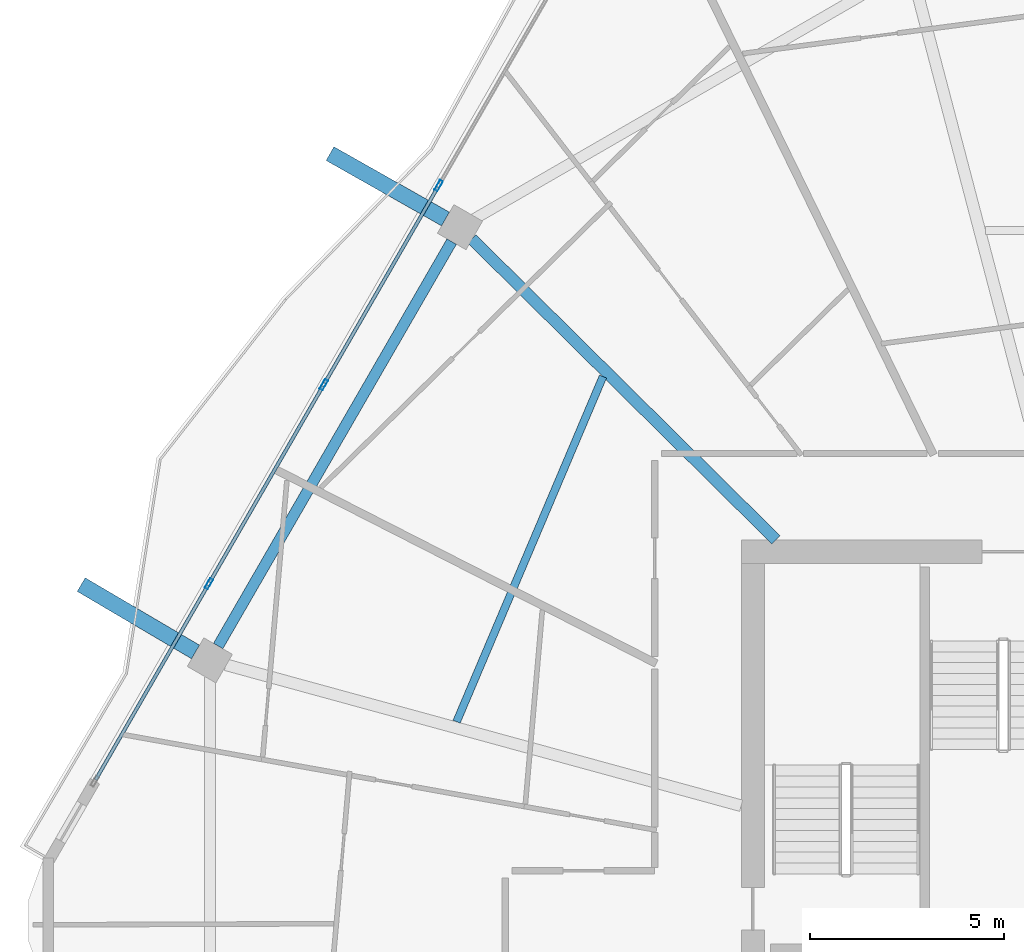
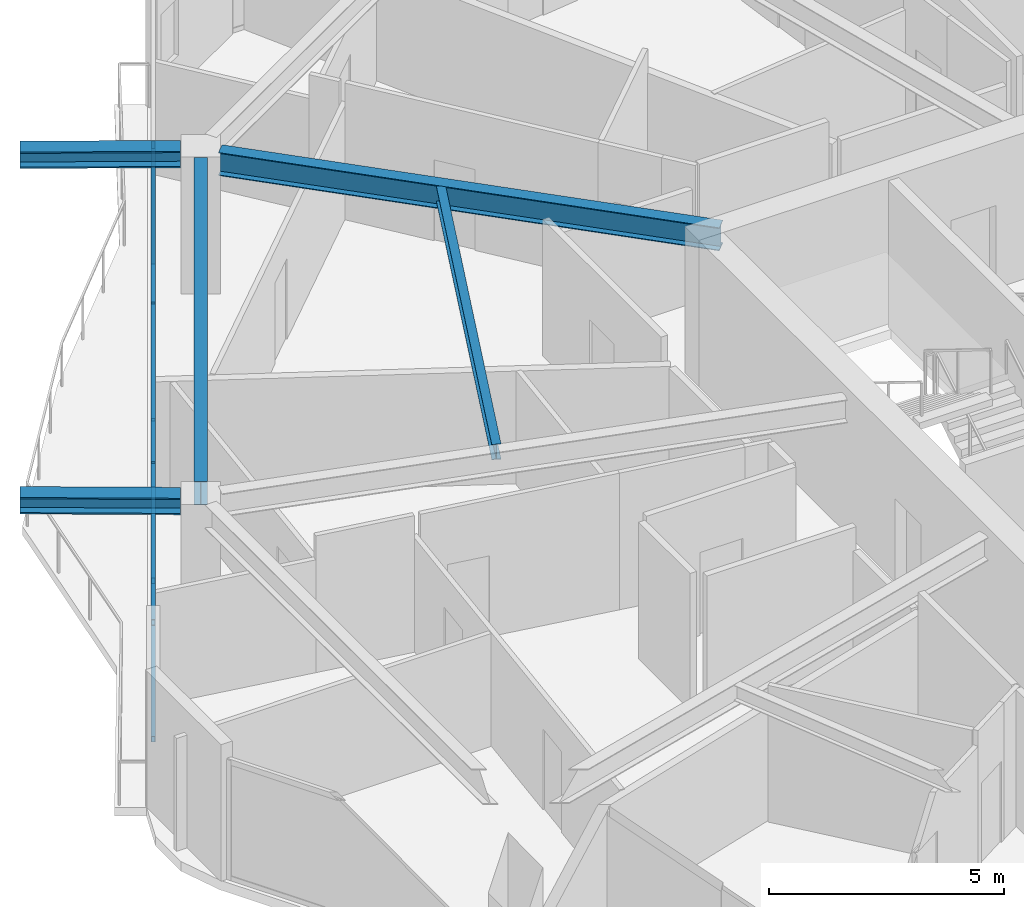
# One storey, part 11 of 26: 9 members, 5 beams, 1 element without a shape of its own.
"""IFC4 building model written with IfcOpenShell, lengths in metres."""

from ifc_helpers import new_model, si_unit, direction, frame, origin, origin_2d, place, context, subcontext, project, spatial, hollow_rectangle, i_section, extrude, material, material_profile, profile_set, type_object, element, aggregate, save


model = new_model("IFC4")

# Units and contexts
model_context = context("Model", 3, precision=1e-05, world=origin(), true_north=direction((0.0, 1.0)))
body_context = subcontext(model_context, "Body", "Model", "MODEL_VIEW")
ifc_project = project(units=[si_unit("LENGTHUNIT", "METRE"), si_unit("AREAUNIT", "SQUARE_METRE"), si_unit("VOLUMEUNIT", "CUBIC_METRE"), si_unit("PLANEANGLEUNIT", "RADIAN"), si_unit("MASSUNIT", "GRAM", prefix="KILO")], contexts=[model_context])

# Site, building, storey
site_placement = place(None, origin())
site = spatial("IfcSite", under=ifc_project, at=site_placement, CompositionType="ELEMENT")
building_placement = place(site_placement, origin())
building = spatial("IfcBuilding", under=site, at=building_placement, Name="Zuhravey Tower", CompositionType="ELEMENT")
storey_placement = place(building_placement, frame((0.0, 0.0, 280.60009765625)))
storey = spatial("IfcBuildingStorey", under=building, at=storey_placement, Name="L71", CompositionType="ELEMENT", Elevation=280.60009765625)

# Curtain wall, members
ifc_material_1 = material(Name="Thermally broken anodised aluminium", Category="aluminium")
curtain_wall_type = type_object("IfcCurtainWallType", Name="Zone 3-4 High-Rise Curtain Wall CW4", PredefinedType="NOTDEFINED", material=ifc_material_1)
curtain_wall_placement = place(storey_placement, origin())
curtain_wall = element("IfcCurtainWall", 1, at=curtain_wall_placement, inside=storey, type_object=curtain_wall_type, Name="L71 CW4 CW-L71-F3-1", PredefinedType="NOTDEFINED")
ifc_material_2 = material(Name="Anodised aluminium", Category="aluminium")
ifc_material_profile_1 = material_profile(ifc_material_2, hollow_rectangle(XDim=0.090087890625, YDim=0.284912109375, WallThickness=0.0048828125, at=origin_2d()), Name="ALU-RHS-90x285x5")
ifc_profile_set_1 = profile_set([ifc_material_profile_1], Name="Anodised aluminium")
member_type_1 = type_object("IfcMemberType", Name="Curtain-Wall Mullion 90x180", PredefinedType="MULLION", material=ifc_profile_set_1)
member_1_placement = place(storey_placement, frame((11.4892578125, 40.673583984375, 0.0), z_axis=(0.0, 0.0, 1.0), x_axis=(-0.866024370591, 0.500001789539, 0.0)))
member_1 = element("IfcMember", 2, at=member_1_placement, type_object=member_type_1, Name="CW4 mullion 2", PredefinedType="MULLION", context=body_context, shape_type="SweptSolid", body=[
    extrude(hollow_rectangle(XDim=0.090087890625, YDim=0.284912109375, WallThickness=0.0048828125, at=origin_2d()), origin(), (0.0, 0.0, 1.0), 3.121826171875),
])
member_2_placement = place(storey_placement, frame((14.44873046875, 45.79931640625, 0.0), z_axis=(0.0, 0.0, 1.0), x_axis=(-0.866024370591, 0.500001789539, 0.0)))
member_2 = element("IfcMember", 3, at=member_2_placement, type_object=member_type_1, Name="CW4 mullion 3", PredefinedType="MULLION", context=body_context, shape_type="SweptSolid", body=[
    extrude(hollow_rectangle(XDim=0.090087890625, YDim=0.284912109375, WallThickness=0.0048828125, at=origin_2d()), origin(), (0.0, 0.0, 1.0), 3.121826171875),
])
member_3_placement = place(storey_placement, frame((17.408203125, 50.92529296875, 0.0), z_axis=(0.0, 0.0, 1.0), x_axis=(-0.866024370591, 0.500001789539, 0.0)))
member_3 = element("IfcMember", 4, at=member_3_placement, type_object=member_type_1, Name="CW4 mullion 4", PredefinedType="MULLION", context=body_context, shape_type="SweptSolid", body=[
    extrude(hollow_rectangle(XDim=0.090087890625, YDim=0.284912109375, WallThickness=0.0048828125, at=origin_2d()), origin(), (0.0, 0.0, 1.0), 3.121826171875),
])
ifc_material_profile_2 = material_profile(ifc_material_2, hollow_rectangle(XDim=0.090087890625, YDim=0.14990234375, WallThickness=0.0048828125, at=origin_2d()), Name="ALU-RHS-90x150x5")
ifc_profile_set_2 = profile_set([ifc_material_profile_2], Name="Anodised aluminium")
member_type_2 = type_object("IfcMemberType", Name="Curtain-Wall Transom 90x150", PredefinedType="USERDEFINED", material=ifc_profile_set_2)
member_4_placement = place(storey_placement, frame((8.574951171875, 35.625732421875, 0.044921875), z_axis=(0.500002592159, 0.866023907196, 0.0), x_axis=(-0.866023907196, 0.500002592159, 0.0)))
member_4 = element("IfcMember", 5, at=member_4_placement, type_object=member_type_2, Name="CW4 transom 1.1", ObjectType="TRANSOM", PredefinedType="USERDEFINED", context=body_context, shape_type="SweptSolid", body=[
    extrude(hollow_rectangle(XDim=0.090087890625, YDim=0.14990234375, WallThickness=0.0048828125, at=origin_2d()), origin(), (0.0, 0.0, 1.0), 5.78369140625),
])
member_5_placement = place(storey_placement, frame((8.574951171875, 35.625732421875, 3.076904296875), z_axis=(0.500002592159, 0.866023907196, 0.0), x_axis=(-0.866023907196, 0.500002592159, 0.0)))
member_5 = element("IfcMember", 6, at=member_5_placement, type_object=member_type_2, Name="CW4 transom 1.2", ObjectType="TRANSOM", PredefinedType="USERDEFINED", context=body_context, shape_type="SweptSolid", body=[
    extrude(hollow_rectangle(XDim=0.090087890625, YDim=0.14990234375, WallThickness=0.0048828125, at=origin_2d()), origin(), (0.0, 0.0, 1.0), 5.78369140625),
])
member_6_placement = place(storey_placement, frame((11.51171875, 40.71240234375, 0.044921875), z_axis=(0.500004036004, 0.866023073584, 0.0), x_axis=(-0.866023073584, 0.500004036004, 0.0)))
member_6 = element("IfcMember", 7, at=member_6_placement, type_object=member_type_2, Name="CW4 transom 2.1", ObjectType="TRANSOM", PredefinedType="USERDEFINED", context=body_context, shape_type="SweptSolid", body=[
    extrude(hollow_rectangle(XDim=0.090087890625, YDim=0.14990234375, WallThickness=0.0048828125, at=origin_2d()), origin(), (0.0, 0.0, 1.0), 5.8291015625),
])
member_7_placement = place(storey_placement, frame((11.51171875, 40.71240234375, 3.076904296875), z_axis=(0.500004036004, 0.866023073584, 0.0), x_axis=(-0.866023073584, 0.500004036004, 0.0)))
member_7 = element("IfcMember", 8, at=member_7_placement, type_object=member_type_2, Name="CW4 transom 2.2", ObjectType="TRANSOM", PredefinedType="USERDEFINED", context=body_context, shape_type="SweptSolid", body=[
    extrude(hollow_rectangle(XDim=0.090087890625, YDim=0.14990234375, WallThickness=0.0048828125, at=origin_2d()), origin(), (0.0, 0.0, 1.0), 5.8291015625),
])
member_8_placement = place(storey_placement, frame((14.47119140625, 45.83837890625, 0.044921875), z_axis=(0.500022172694, 0.866012601995, 0.0), x_axis=(-0.866012601995, 0.500022172694, 0.0)))
member_8 = element("IfcMember", 9, at=member_8_placement, type_object=member_type_2, Name="CW4 transom 3.1", ObjectType="TRANSOM", PredefinedType="USERDEFINED", context=body_context, shape_type="SweptSolid", body=[
    extrude(hollow_rectangle(XDim=0.090087890625, YDim=0.14990234375, WallThickness=0.0048828125, at=origin_2d()), origin(), (0.0, 0.0, 1.0), 5.828857421875),
])
member_9_placement = place(storey_placement, frame((14.47119140625, 45.83837890625, 3.076904296875), z_axis=(0.500022172694, 0.866012601995, 0.0), x_axis=(-0.866012601995, 0.500022172694, 0.0)))
member_9 = element("IfcMember", 10, at=member_9_placement, type_object=member_type_2, Name="CW4 transom 3.2", ObjectType="TRANSOM", PredefinedType="USERDEFINED", context=body_context, shape_type="SweptSolid", body=[
    extrude(hollow_rectangle(XDim=0.090087890625, YDim=0.14990234375, WallThickness=0.0048828125, at=origin_2d()), origin(), (0.0, 0.0, 1.0), 5.828857421875),
])
aggregate(curtain_wall, [member_1, member_2, member_3, member_4, member_5, member_6, member_7, member_8, member_9])

# Beams
ifc_material_3 = material(Name="Steel SM460", Category="steel")
ifc_material_profile_3 = material_profile(ifc_material_3, i_section(OverallWidth=0.406982421875, OverallDepth=0.427978515625, WebThickness=0.02001953125, FlangeThickness=0.034912109375, at=origin_2d()), Name="H-428x407x20x35")
ifc_profile_set_3 = profile_set([ifc_material_profile_3], Name="Steel SM460")
beam_type_1 = type_object("IfcBeamType", Name="Exoskeleton Node Tie Beam H428x407", PredefinedType="BEAM", material=ifc_profile_set_3)
beam_1_placement = place(storey_placement, frame((17.5830078125, 50.06591796875, 3.3359375), z_axis=(-0.870293846877, 0.492532861938, 0.0), x_axis=(-0.492532861938, -0.870293846877, 0.0)))
element("IfcBeam", 11, at=beam_1_placement, inside=storey, type_object=beam_type_1, Name="L71 Exoskeleton Node Tie NT1-05", PredefinedType="BEAM", context=body_context, shape_type="SweptSolid", body=[
    extrude(i_section(OverallWidth=0.406982421875, OverallDepth=0.427978515625, WebThickness=0.02001953125, FlangeThickness=0.034912109375, at=origin_2d()), origin(), (0.0, 0.0, 1.0), 3.416259765625),
])
beam_2_placement = place(storey_placement, frame((11.145751953125, 38.91650390625, 3.3359375), z_axis=(-0.861695278897, 0.507426099375, 0.0), x_axis=(-0.507426099375, -0.861695278897, 0.0)))
element("IfcBeam", 12, at=beam_2_placement, inside=storey, type_object=beam_type_1, Name="L71 Exoskeleton Node Tie NT1-06", PredefinedType="BEAM", context=body_context, shape_type="SweptSolid", body=[
    extrude(i_section(OverallWidth=0.406982421875, OverallDepth=0.427978515625, WebThickness=0.02001953125, FlangeThickness=0.034912109375, at=origin_2d()), origin(), (0.0, 0.0, 1.0), 3.416015625),
])
ifc_material_4 = material(Name="Steel SM355", Category="steel")
ifc_material_profile_4 = material_profile(ifc_material_4, i_section(OverallWidth=0.280029296875, OverallDepth=0.6201171875, WebThickness=0.011962890625, FlangeThickness=0.02001953125, at=origin_2d()), Name="H-620x280x12x20")
ifc_profile_set_4 = profile_set([ifc_material_profile_4], Name="Steel SM355")
beam_type_2 = type_object("IfcBeamType", Name="Perimeter Ring Beam H620x280", PredefinedType="BEAM", material=ifc_profile_set_4)
beam_3_placement = place(storey_placement, frame((17.742431640625, 49.484130859375, 3.239990234375), z_axis=(-0.500005971936, -0.866021955858, 0.0), x_axis=(0.866021955858, -0.500005971936, 0.0)))
element("IfcBeam", 13, at=beam_3_placement, inside=storey, type_object=beam_type_2, Name="L71 PB3 BM-L71-PB-05", PredefinedType="BEAM", context=body_context, shape_type="SweptSolid", body=[
    extrude(i_section(OverallWidth=0.280029296875, OverallDepth=0.6201171875, WebThickness=0.011962890625, FlangeThickness=0.02001953125, at=origin_2d()), origin(), (0.0, 0.0, 1.0), 12.025634765625),
])
ifc_material_profile_5 = material_profile(ifc_material_4, i_section(OverallWidth=0.300048828125, OverallDepth=0.60009765625, WebThickness=0.011962890625, FlangeThickness=0.02001953125, at=origin_2d()), Name="H-600x300x12x20")
ifc_profile_set_5 = profile_set([ifc_material_profile_5], Name="Steel SM355")
beam_type_3 = type_object("IfcBeamType", Name="Radial Primary Girder H600x300", PredefinedType="BEAM", material=ifc_profile_set_5)
beam_4_placement = place(storey_placement, frame((26.09326171875, 41.802978515625, 3.25), z_axis=(-0.710808169267, 0.70338591577, 0.0), x_axis=(-0.70338591577, -0.710808169267, 0.0)))
element("IfcBeam", 14, at=beam_4_placement, inside=storey, type_object=beam_type_3, Name="L71 RG3 BM-L71-RAD-05", PredefinedType="BEAM", context=body_context, shape_type="SweptSolid", body=[
    extrude(i_section(OverallWidth=0.300048828125, OverallDepth=0.60009765625, WebThickness=0.011962890625, FlangeThickness=0.02001953125, at=origin_2d()), origin(), (0.0, 0.0, 1.0), 11.019287109375),
])
ifc_material_profile_6 = material_profile(ifc_material_4, i_section(OverallWidth=0.199951171875, OverallDepth=0.39990234375, WebThickness=0.008056640625, FlangeThickness=0.012939453125, at=origin_2d()), Name="H-400x200x8x13")
ifc_profile_set_6 = profile_set([ifc_material_profile_6], Name="Steel SM355")
beam_type_4 = type_object("IfcBeamType", Name="Secondary Floor Joist H400x200", PredefinedType="JOIST", material=ifc_profile_set_6)
beam_5_placement = place(storey_placement, frame((21.63916015625, 46.009033203125, 3.349853515625), z_axis=(-0.390413493754, -0.920639616731, 0.0), x_axis=(0.920639616731, -0.390413493754, 0.0)))
element("IfcBeam", 15, at=beam_5_placement, inside=storey, type_object=beam_type_4, Name="L71 SJ2 BM-L71-SJ-05-1", PredefinedType="JOIST", context=body_context, shape_type="SweptSolid", body=[
    extrude(i_section(OverallWidth=0.199951171875, OverallDepth=0.39990234375, WebThickness=0.008056640625, FlangeThickness=0.012939453125, at=origin_2d()), origin(), (0.0, 0.0, 1.0), 9.656494140625),
])

save(model, "model.ifc")
